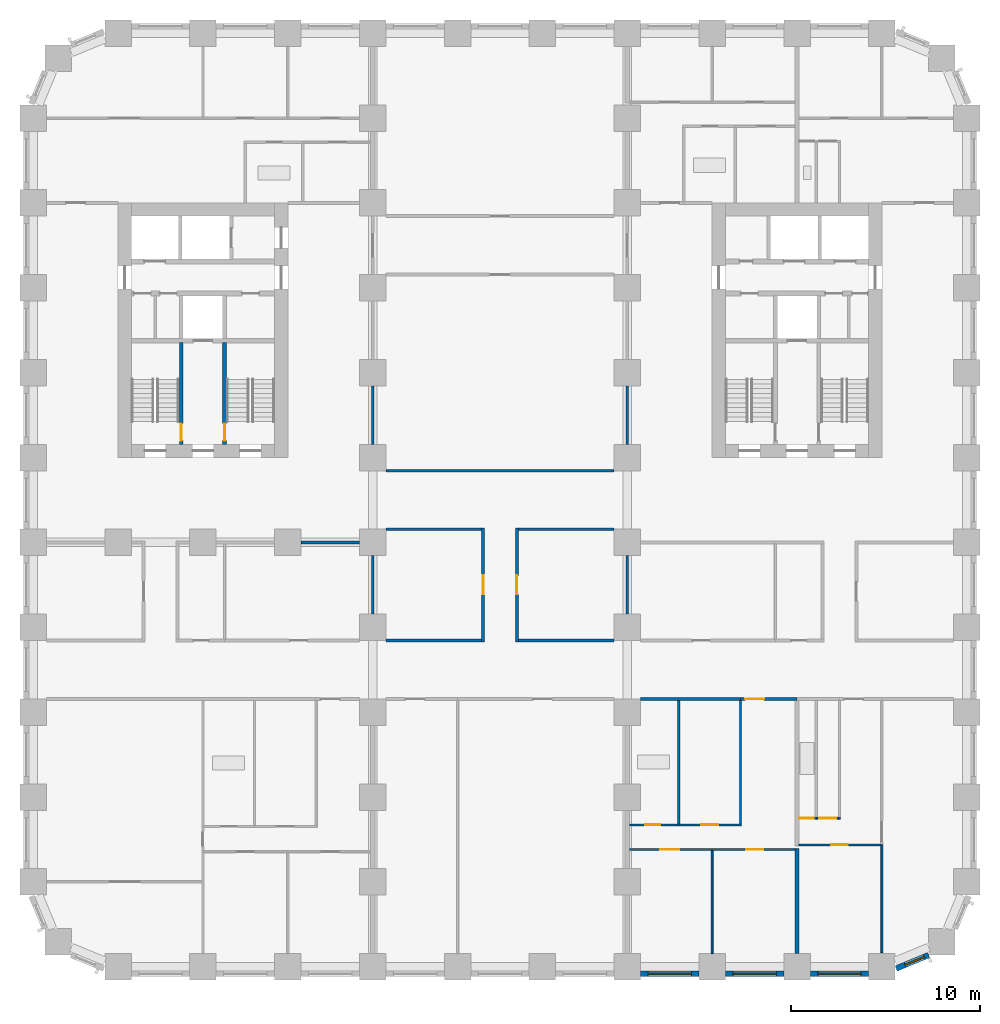
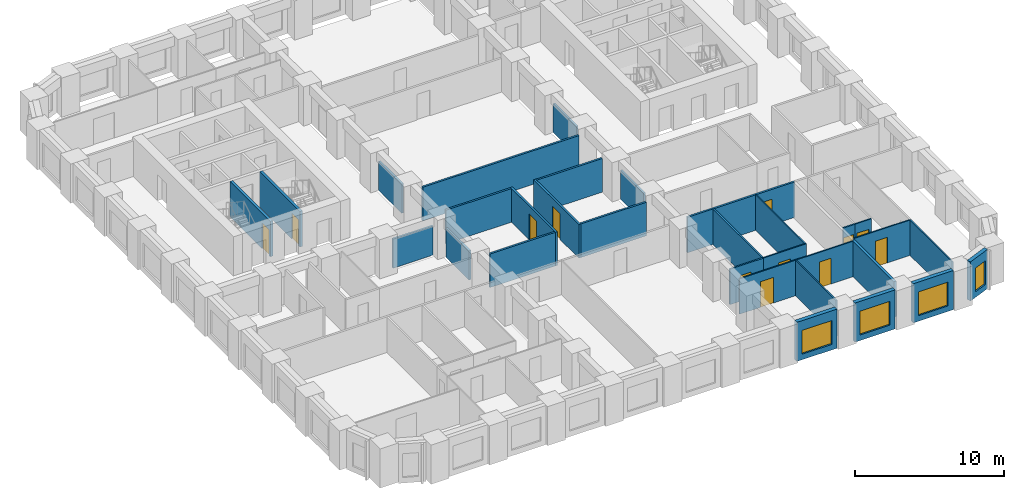
# One storey, part 4 of 12: 32 walls, 12 doors, 4 windows, 16 openings.
"""IFC4 building model written with IfcOpenShell, lengths in metres."""

from ifc_helpers import new_model, si_unit, direction, frame, frame_2d, origin, place, context, subcontext, project, spatial, rectangle, extrude, material, layer, layer_set, type_object, element, fill, save


model = new_model("IFC4")

# Units and contexts
model_context = context("Model", 3, precision=1e-05, world=origin(), true_north=direction((0.0, 1.0)))
body_context = subcontext(model_context, "Body", "Model", "MODEL_VIEW")
ifc_project = project(units=[si_unit("LENGTHUNIT", "METRE"), si_unit("AREAUNIT", "SQUARE_METRE"), si_unit("VOLUMEUNIT", "CUBIC_METRE"), si_unit("PLANEANGLEUNIT", "RADIAN"), si_unit("MASSUNIT", "GRAM", prefix="KILO")], contexts=[model_context])

# Site, building, storey
site_placement = place(None, origin())
site = spatial("IfcSite", under=ifc_project, at=site_placement, CompositionType="ELEMENT")
building_placement = place(site_placement, origin())
building = spatial("IfcBuilding", under=site, at=building_placement, Name="Girih Gate Residences", CompositionType="ELEMENT")
storey_placement = place(building_placement, frame((0.0, 0.0, 68.800048828125)))
storey = spatial("IfcBuildingStorey", under=building, at=storey_placement, Name="L18", CompositionType="ELEMENT", Elevation=68.800048828125)

# Wall
ifc_material_1 = material(Name="Gypsum board on steel studs", Category="steel")
ifc_layer_1 = layer(ifc_material_1, 0.14990234375)
ifc_layer_set_1 = layer_set([ifc_layer_1], Name="Compartment wall 150 mm")
wall_type_1 = type_object("IfcWallType", Name="Compartment wall 150 mm", PredefinedType="PARTITIONING", material=ifc_layer_set_1)
wall_1_placement = place(storey_placement, frame((32.199951171875, 14.199951171875, 0.0), z_axis=(0.0, 0.0, 1.0), x_axis=(1.0, 0.0, 0.0)))
element("IfcWall", 1, at=wall_1_placement, inside=storey, type_object=wall_type_1, Name="L18 partition", PredefinedType="PARTITIONING", context=body_context, shape_type="SweptSolid", body=[
    extrude(rectangle(XDim=5.300048828125, YDim=0.14990234375, at=frame_2d((2.64990234375, 0.0))), origin(), (0.0, 0.0, 1.0), 2.89990234375),
])

# Wall, opening, door
wall_2_placement = place(storey_placement, frame((40.5, 14.199951171875, 0.0), z_axis=(0.0, 0.0, 1.0), x_axis=(-1.0, 0.0, 0.0)))
wall_2 = element("IfcWall", 2, at=wall_2_placement, inside=storey, type_object=wall_type_1, Name="L18 partition", PredefinedType="PARTITIONING", context=body_context, shape_type="SweptSolid", body=[
    extrude(rectangle(XDim=3.0, YDim=0.14990234375, at=frame_2d((1.5, 0.0))), origin(), (0.0, 0.0, 1.0), 2.89990234375),
])
opening_1_placement = place(wall_2_placement, frame((1.75, 0.0, 0.0)))
opening_1 = element("IfcOpeningElement", 3, at=opening_1_placement, cuts=wall_2, Name="Opening A18-023", PredefinedType="OPENING", context=body_context, shape_type="SweptSolid", body=[
    extrude(rectangle(XDim=1.0, YDim=2.10009765625, at=frame_2d((0.5, 1.050048828125))), frame((0.0, 0.0849609375, 0.0), z_axis=(0.0, -1.0, 0.0), x_axis=(1.0, 0.0, 0.0)), (0.0, 0.0, 1.0), 0.169921875),
])
ifc_material_2 = material(Name="Timber, fire-rated core", Category="wood")
door_type_1 = type_object("IfcDoorType", Name="Flat entrance door 1000x2100 FD30S", OperationType="NOTDEFINED", PredefinedType="DOOR", material=ifc_material_2)
door_1_placement = place(opening_1_placement, origin())
door_1 = element("IfcDoor", 4, at=door_1_placement, inside=storey, type_object=door_type_1, Name="Door A18-023", OperationType="SINGLE_SWING_RIGHT", OverallHeight=2.10009765625, OverallWidth=1.0, PredefinedType="DOOR", context=body_context, shape_type="SweptSolid", body=[
    extrude(rectangle(XDim=1.0, YDim=2.10009765625, at=frame_2d((0.5, 1.050048828125))), frame((0.0, 0.02490234375, 0.0), z_axis=(0.0, -1.0, 0.0), x_axis=(1.0, 0.0, 0.0)), (0.0, 0.0, 1.0), 0.050048828125),
])
fill(opening_1, door_1)

wall_3_placement = place(storey_placement, frame((23.85009765625, 17.22509765625, 0.0), z_axis=(0.0, 0.0, 1.0), x_axis=(0.0, 1.0, 0.0)))
wall_3 = element("IfcWall", 5, at=wall_3_placement, inside=storey, type_object=wall_type_1, Name="L18 partition", PredefinedType="PARTITIONING", context=body_context, shape_type="SweptSolid", body=[
    extrude(rectangle(XDim=6.0498046875, YDim=0.14990234375, at=frame_2d((3.02490234375, 0.0))), origin(), (0.0, 0.0, 1.0), 2.75),
])
opening_2_placement = place(wall_3_placement, frame((2.52490234375, 0.0, 0.0)))
opening_2 = element("IfcOpeningElement", 6, at=opening_2_placement, cuts=wall_3, Name="Opening A18-040", PredefinedType="OPENING", context=body_context, shape_type="SweptSolid", body=[
    extrude(rectangle(XDim=1.0, YDim=2.10009765625, at=frame_2d((0.5, 1.050048828125))), frame((0.0, 0.0849609375, 0.0), z_axis=(0.0, -1.0, 0.0), x_axis=(1.0, 0.0, 0.0)), (0.0, 0.0, 1.0), 0.169921875),
])
door_type_2 = type_object("IfcDoorType", Name="Amenity room door 1000x2100 FD30S", OperationType="NOTDEFINED", PredefinedType="DOOR", material=ifc_material_2)
door_2_placement = place(opening_2_placement, origin())
door_2 = element("IfcDoor", 7, at=door_2_placement, inside=storey, type_object=door_type_2, Name="Door A18-040", OperationType="SINGLE_SWING_RIGHT", OverallHeight=2.10009765625, OverallWidth=1.0, PredefinedType="DOOR", context=body_context, shape_type="SweptSolid", body=[
    extrude(rectangle(XDim=1.0, YDim=2.10009765625, at=frame_2d((0.5, 1.050048828125))), frame((0.0, 0.02490234375, 0.0), z_axis=(0.0, -1.0, 0.0), x_axis=(1.0, 0.0, 0.0)), (0.0, 0.0, 1.0), 0.050048828125),
])
fill(opening_2, door_2)

wall_4_placement = place(storey_placement, frame((25.64990234375, 23.27490234375, 0.0), z_axis=(0.0, 0.0, 1.0), x_axis=(0.0, -1.0, 0.0)))
wall_4 = element("IfcWall", 8, at=wall_4_placement, inside=storey, type_object=wall_type_1, Name="L18 partition", PredefinedType="PARTITIONING", context=body_context, shape_type="SweptSolid", body=[
    extrude(rectangle(XDim=6.0498046875, YDim=0.14990234375, at=frame_2d((3.02490234375, 0.0))), origin(), (0.0, 0.0, 1.0), 2.75),
])
opening_3_placement = place(wall_4_placement, frame((2.52490234375, 0.0, 0.0)))
opening_3 = element("IfcOpeningElement", 9, at=opening_3_placement, cuts=wall_4, Name="Opening A18-041", PredefinedType="OPENING", context=body_context, shape_type="SweptSolid", body=[
    extrude(rectangle(XDim=1.0, YDim=2.10009765625, at=frame_2d((0.5, 1.050048828125))), frame((0.0, 0.0849609375, 0.0), z_axis=(0.0, -1.0, 0.0), x_axis=(1.0, 0.0, 0.0)), (0.0, 0.0, 1.0), 0.169921875),
])
door_3_placement = place(opening_3_placement, origin())
door_3 = element("IfcDoor", 10, at=door_3_placement, inside=storey, type_object=door_type_2, Name="Door A18-041", OperationType="SINGLE_SWING_RIGHT", OverallHeight=2.10009765625, OverallWidth=1.0, PredefinedType="DOOR", context=body_context, shape_type="SweptSolid", body=[
    extrude(rectangle(XDim=1.0, YDim=2.10009765625, at=frame_2d((0.5, 1.050048828125))), frame((0.0, 0.02490234375, 0.0), z_axis=(0.0, -1.0, 0.0), x_axis=(1.0, 0.0, 0.0)), (0.0, 0.0, 1.0), 0.050048828125),
])
fill(opening_3, door_3)

# Walls
for number, where, z_axis, x_axis, name in (
    (11, (18.699951171875, 17.300048828125, 0.0), (0.0, 0.0, 1.0), (1.0, 0.0, 0.0), "L18 partition"),
    (12, (25.72509765625, 17.300048828125, 0.0), (0.0, 0.0, 1.0), (1.0, 0.0, 0.0), "L18 partition"),
):
    element("IfcWall", number, at=place(storey_placement, frame(where, z_axis=z_axis, x_axis=x_axis)), inside=storey, type_object=wall_type_1, Name=name, PredefinedType="PARTITIONING", context=body_context, shape_type="SweptSolid", body=[
        extrude(rectangle(XDim=5.074951171875, YDim=0.14990234375, at=frame_2d((2.53759765625, 0.0))), origin(), (0.0, 0.0, 1.0), 2.75),
    ])
for number, where, z_axis, x_axis, name in (
    (13, (31.5, 27.699951171875, 0.0), (0.0, 0.0, 1.0), (0.0, 1.0, 0.0), "L18 partition"),
    (14, (18.0, 27.699951171875, 0.0), (0.0, 0.0, 1.0), (0.0, 1.0, 0.0), "L18 partition"),
):
    element("IfcWall", number, at=place(storey_placement, frame(where, z_axis=z_axis, x_axis=x_axis)), inside=storey, type_object=wall_type_1, Name=name, PredefinedType="PARTITIONING", context=body_context, shape_type="SweptSolid", body=[
        extrude(rectangle(XDim=3.10009765625, YDim=0.14990234375, at=frame_2d((1.550048828125, 0.0))), origin(), (0.0, 0.0, 1.0), 2.3798828125),
    ])
wall_5_placement = place(storey_placement, frame((18.699951171875, 26.300048828125, 0.0), z_axis=(0.0, 0.0, 1.0), x_axis=(1.0, 0.0, 0.0)))
element("IfcWall", 15, at=wall_5_placement, inside=storey, type_object=wall_type_1, Name="L18 partition", PredefinedType="PARTITIONING", context=body_context, shape_type="SweptSolid", body=[
    extrude(rectangle(XDim=12.10009765625, YDim=0.14990234375, at=frame_2d((6.050048828125, 0.0))), origin(), (0.0, 0.0, 1.0), 2.75),
])
wall_6_placement = place(storey_placement, frame((18.699951171875, 23.199951171875, 0.0), z_axis=(0.0, 0.0, 1.0), x_axis=(1.0, 0.0, 0.0)))
element("IfcWall", 16, at=wall_6_placement, inside=storey, type_object=wall_type_1, Name="L18 partition", PredefinedType="PARTITIONING", context=body_context, shape_type="SweptSolid", body=[
    extrude(rectangle(XDim=5.074951171875, YDim=0.14990234375, at=frame_2d((2.53759765625, 0.0))), origin(), (0.0, 0.0, 1.0), 2.75),
])
wall_7_placement = place(storey_placement, frame((18.0, 18.699951171875, 0.0), z_axis=(0.0, 0.0, 1.0), x_axis=(0.0, 1.0, 0.0)))
element("IfcWall", 17, at=wall_7_placement, inside=storey, type_object=wall_type_1, Name="L18 partition", PredefinedType="PARTITIONING", context=body_context, shape_type="SweptSolid", body=[
    extrude(rectangle(XDim=3.10009765625, YDim=0.14990234375, at=frame_2d((1.550048828125, 0.0))), origin(), (0.0, 0.0, 1.0), 2.3798828125),
])
wall_8_placement = place(storey_placement, frame((25.72509765625, 23.199951171875, 0.0), z_axis=(0.0, 0.0, 1.0), x_axis=(1.0, 0.0, 0.0)))
element("IfcWall", 18, at=wall_8_placement, inside=storey, type_object=wall_type_1, Name="L18 partition", PredefinedType="PARTITIONING", context=body_context, shape_type="SweptSolid", body=[
    extrude(rectangle(XDim=5.074951171875, YDim=0.14990234375, at=frame_2d((2.53759765625, 0.0))), origin(), (0.0, 0.0, 1.0), 2.75),
])
for number, where, z_axis, x_axis, name in (
    (19, (31.5, 18.699951171875, 0.0), (0.0, 0.0, 1.0), (0.0, 1.0, 0.0), "L18 partition"),
    (20, (14.199951171875, 22.5, 0.0), (0.0, 0.0, 1.0), (1.0, 0.0, 0.0), "L18 partition"),
):
    element("IfcWall", number, at=place(storey_placement, frame(where, z_axis=z_axis, x_axis=x_axis)), inside=storey, type_object=wall_type_1, Name=name, PredefinedType="PARTITIONING", context=body_context, shape_type="SweptSolid", body=[
        extrude(rectangle(XDim=3.10009765625, YDim=0.14990234375, at=frame_2d((1.550048828125, 0.0))), origin(), (0.0, 0.0, 1.0), 2.3798828125),
    ])

# Wall, opening, door
ifc_layer_2 = layer(ifc_material_1, 0.10009765625)
ifc_layer_set_2 = layer_set([ifc_layer_2], Name="Partition 100 mm")
wall_type_2 = type_object("IfcWallType", Name="Partition 100 mm", PredefinedType="PARTITIONING", material=ifc_layer_set_2)
wall_9_placement = place(storey_placement, frame((44.949951171875, 6.4599609375, 0.0), z_axis=(0.0, 0.0, 1.0), x_axis=(-1.0, 0.0, 0.0)))
wall_9 = element("IfcWall", 21, at=wall_9_placement, inside=storey, type_object=wall_type_2, Name="L18 partition", PredefinedType="PARTITIONING", context=body_context, shape_type="SweptSolid", body=[
    extrude(rectangle(XDim=4.349853515625, YDim=0.10009765625, at=frame_2d((2.1748046875, 0.0))), origin(), (0.0, 0.0, 1.0), 2.89990234375),
])
opening_4_placement = place(wall_9_placement, frame((1.75, 0.0, 0.0)))
opening_4 = element("IfcOpeningElement", 22, at=opening_4_placement, cuts=wall_9, Name="Opening A18-015", PredefinedType="OPENING", context=body_context, shape_type="SweptSolid", body=[
    extrude(rectangle(XDim=0.89990234375, YDim=2.10009765625, at=frame_2d((0.449951171875, 1.050048828125))), frame((0.0, 0.06005859375, 0.0), z_axis=(0.0, -1.0, 0.0), x_axis=(1.0, 0.0, 0.0)), (0.0, 0.0, 1.0), 0.1201171875),
])
ifc_material_3 = material(Name="Timber", Category="wood")
door_type_3 = type_object("IfcDoorType", Name="Bedroom door 900x2100", OperationType="NOTDEFINED", PredefinedType="DOOR", material=ifc_material_3)
door_4_placement = place(opening_4_placement, origin())
door_4 = element("IfcDoor", 23, at=door_4_placement, inside=storey, type_object=door_type_3, Name="Door A18-015", OperationType="SINGLE_SWING_RIGHT", OverallHeight=2.10009765625, OverallWidth=0.89990234375, PredefinedType="DOOR", context=body_context, shape_type="SweptSolid", body=[
    extrude(rectangle(XDim=0.89990234375, YDim=2.10009765625, at=frame_2d((0.449951171875, 1.050048828125))), frame((0.0, 0.02490234375, 0.0), z_axis=(0.0, -1.0, 0.0), x_axis=(1.0, 0.0, 0.0)), (0.0, 0.0, 1.0), 0.050048828125),
])
fill(opening_4, door_4)

# Wall
wall_10_placement = place(storey_placement, frame((45.0, 0.757568359375, 0.0), z_axis=(0.0, 0.0, 1.0), x_axis=(0.0, 1.0, 0.0)))
element("IfcWall", 24, at=wall_10_placement, inside=storey, type_object=wall_type_2, Name="L18 partition", PredefinedType="PARTITIONING", context=body_context, shape_type="SweptSolid", body=[
    extrude(rectangle(XDim=5.702392578125, YDim=0.10009765625, at=frame_2d((2.85107421875, 0.0))), origin(), (0.0, 0.0, 1.0), 2.89990234375),
])

# Wall, opening, door
wall_11_placement = place(storey_placement, frame((41.522705078125, 7.8798828125, 0.0), z_axis=(0.0, 0.0, 1.0), x_axis=(1.0, 0.0, 0.0)))
wall_11 = element("IfcWall", 25, at=wall_11_placement, inside=storey, type_object=wall_type_2, Name="L18 partition", PredefinedType="PARTITIONING", context=body_context, shape_type="SweptSolid", body=[
    extrude(rectangle(XDim=1.27734375, YDim=0.10009765625, at=frame_2d((0.638671875, 0.0))), origin(), (0.0, 0.0, 1.0), 2.89990234375),
])
opening_5_placement = place(wall_11_placement, frame((0.16357421875, 0.0, 0.0)))
opening_5 = element("IfcOpeningElement", 26, at=opening_5_placement, cuts=wall_11, Name="Opening A18-016", PredefinedType="OPENING", context=body_context, shape_type="SweptSolid", body=[
    extrude(rectangle(XDim=0.89990234375, YDim=2.10009765625, at=frame_2d((0.449951171875, 1.050048828125))), frame((0.0, 0.06005859375, 0.0), z_axis=(0.0, -1.0, 0.0), x_axis=(1.0, 0.0, 0.0)), (0.0, 0.0, 1.0), 0.1201171875),
])
door_type_4 = type_object("IfcDoorType", Name="Kitchen door 900x2100", OperationType="NOTDEFINED", PredefinedType="DOOR", material=ifc_material_3)
door_5_placement = place(opening_5_placement, origin())
door_5 = element("IfcDoor", 27, at=door_5_placement, inside=storey, type_object=door_type_4, Name="Door A18-016", OperationType="SINGLE_SWING_LEFT", OverallHeight=2.10009765625, OverallWidth=0.89990234375, PredefinedType="DOOR", context=body_context, shape_type="SweptSolid", body=[
    extrude(rectangle(XDim=0.89990234375, YDim=2.10009765625, at=frame_2d((0.449951171875, 1.050048828125))), frame((0.0, 0.02490234375, 0.0), z_axis=(0.0, -1.0, 0.0), x_axis=(1.0, 0.0, 0.0)), (0.0, 0.0, 1.0), 0.050048828125),
])
fill(opening_5, door_5)

wall_12_placement = place(storey_placement, frame((40.39990234375, 6.219970703125, 0.0), z_axis=(0.0, 0.0, 1.0), x_axis=(-1.0, 0.0, 0.0)))
wall_12 = element("IfcWall", 28, at=wall_12_placement, inside=storey, type_object=wall_type_2, Name="L18 partition", PredefinedType="PARTITIONING", context=body_context, shape_type="SweptSolid", body=[
    extrude(rectangle(XDim=4.39990234375, YDim=0.10009765625, at=frame_2d((2.199951171875, 0.0))), origin(), (0.0, 0.0, 1.0), 2.89990234375),
])
opening_6_placement = place(wall_12_placement, frame((1.699951171875, 0.0, 0.0)))
opening_6 = element("IfcOpeningElement", 29, at=opening_6_placement, cuts=wall_12, Name="Opening A18-020", PredefinedType="OPENING", context=body_context, shape_type="SweptSolid", body=[
    extrude(rectangle(XDim=0.89990234375, YDim=2.10009765625, at=frame_2d((0.449951171875, 1.050048828125))), frame((0.0, 0.06005859375, 0.0), z_axis=(0.0, -1.0, 0.0), x_axis=(1.0, 0.0, 0.0)), (0.0, 0.0, 1.0), 0.1201171875),
])
door_6_placement = place(opening_6_placement, origin())
door_6 = element("IfcDoor", 30, at=door_6_placement, inside=storey, type_object=door_type_3, Name="Door A18-020", OperationType="SINGLE_SWING_LEFT", OverallHeight=2.10009765625, OverallWidth=0.89990234375, PredefinedType="DOOR", context=body_context, shape_type="SweptSolid", body=[
    extrude(rectangle(XDim=0.89990234375, YDim=2.10009765625, at=frame_2d((0.449951171875, 1.050048828125))), frame((0.0, 0.02490234375, 0.0), z_axis=(0.0, -1.0, 0.0), x_axis=(1.0, 0.0, 0.0)), (0.0, 0.0, 1.0), 0.050048828125),
])
fill(opening_6, door_6)

# Wall
wall_13_placement = place(storey_placement, frame((36.0, 0.699951171875, 0.0), z_axis=(0.0, 0.0, 1.0), x_axis=(0.0, 1.0, 0.0)))
element("IfcWall", 31, at=wall_13_placement, inside=storey, type_object=wall_type_2, Name="L18 partition", PredefinedType="PARTITIONING", context=body_context, shape_type="SweptSolid", body=[
    extrude(rectangle(XDim=5.469970703125, YDim=0.10009765625, at=frame_2d((2.73486328125, 0.0))), origin(), (0.0, 0.0, 1.0), 2.89990234375),
])

# Wall, opening, door
wall_14_placement = place(storey_placement, frame((34.21923828125, 7.52001953125, 0.0), z_axis=(0.0, 0.0, 1.0), x_axis=(1.0, 0.0, 0.0)))
wall_14 = element("IfcWall", 32, at=wall_14_placement, inside=storey, type_object=wall_type_2, Name="L18 partition", PredefinedType="PARTITIONING", context=body_context, shape_type="SweptSolid", body=[
    extrude(rectangle(XDim=3.330810546875, YDim=0.10009765625, at=frame_2d((1.66552734375, 0.0))), origin(), (0.0, 0.0, 1.0), 2.89990234375),
])
opening_7_placement = place(wall_14_placement, frame((1.190185546875, 0.0, 0.0)))
opening_7 = element("IfcOpeningElement", 33, at=opening_7_placement, cuts=wall_14, Name="Opening A18-021", PredefinedType="OPENING", context=body_context, shape_type="SweptSolid", body=[
    extrude(rectangle(XDim=0.89990234375, YDim=2.10009765625, at=frame_2d((0.449951171875, 1.050048828125))), frame((0.0, 0.06005859375, 0.0), z_axis=(0.0, -1.0, 0.0), x_axis=(1.0, 0.0, 0.0)), (0.0, 0.0, 1.0), 0.1201171875),
])
door_7_placement = place(opening_7_placement, origin())
door_7 = element("IfcDoor", 34, at=door_7_placement, inside=storey, type_object=door_type_4, Name="Door A18-021", OperationType="SINGLE_SWING_LEFT", OverallHeight=2.10009765625, OverallWidth=0.89990234375, PredefinedType="DOOR", context=body_context, shape_type="SweptSolid", body=[
    extrude(rectangle(XDim=0.89990234375, YDim=2.10009765625, at=frame_2d((0.449951171875, 1.050048828125))), frame((0.0, 0.02490234375, 0.0), z_axis=(0.0, -1.0, 0.0), x_axis=(1.0, 0.0, 0.0)), (0.0, 0.0, 1.0), 0.050048828125),
])
fill(opening_7, door_7)

# Wall
wall_15_placement = place(storey_placement, frame((37.5, 7.570068359375, 0.0), z_axis=(0.0, 0.0, 1.0), x_axis=(0.0, 1.0, 0.0)))
element("IfcWall", 35, at=wall_15_placement, inside=storey, type_object=wall_type_2, Name="L18 partition", PredefinedType="PARTITIONING", context=body_context, shape_type="SweptSolid", body=[
    extrude(rectangle(XDim=6.554931640625, YDim=0.10009765625, at=frame_2d((3.27734375, 0.0))), origin(), (0.0, 0.0, 1.0), 2.89990234375),
])

# Wall, opening, door
wall_16_placement = place(storey_placement, frame((36.0, 6.219970703125, 0.0), z_axis=(0.0, 0.0, 1.0), x_axis=(-1.0, 0.0, 0.0)))
wall_16 = element("IfcWall", 36, at=wall_16_placement, inside=storey, type_object=wall_type_2, Name="L18 partition", PredefinedType="PARTITIONING", context=body_context, shape_type="SweptSolid", body=[
    extrude(rectangle(XDim=4.375, YDim=0.10009765625, at=frame_2d((2.1875, 0.0))), origin(), (0.0, 0.0, 1.0), 2.89990234375),
])
opening_8_placement = place(wall_16_placement, frame((1.75, 0.0, 0.0)))
opening_8 = element("IfcOpeningElement", 37, at=opening_8_placement, cuts=wall_16, Name="Opening A18-022", PredefinedType="OPENING", context=body_context, shape_type="SweptSolid", body=[
    extrude(rectangle(XDim=1.0, YDim=2.10009765625, at=frame_2d((0.5, 1.050048828125))), frame((0.0, 0.06005859375, 0.0), z_axis=(0.0, -1.0, 0.0), x_axis=(1.0, 0.0, 0.0)), (0.0, 0.0, 1.0), 0.1201171875),
])
door_type_5 = type_object("IfcDoorType", Name="Living room door 1000x2100", OperationType="NOTDEFINED", PredefinedType="DOOR", material=ifc_material_3)
door_8_placement = place(opening_8_placement, origin())
door_8 = element("IfcDoor", 38, at=door_8_placement, inside=storey, type_object=door_type_5, Name="Door A18-022", OperationType="SINGLE_SWING_RIGHT", OverallHeight=2.10009765625, OverallWidth=1.0, PredefinedType="DOOR", context=body_context, shape_type="SweptSolid", body=[
    extrude(rectangle(XDim=1.0, YDim=2.10009765625, at=frame_2d((0.5, 1.050048828125))), frame((0.0, 0.02490234375, 0.0), z_axis=(0.0, -1.0, 0.0), x_axis=(1.0, 0.0, 0.0)), (0.0, 0.0, 1.0), 0.050048828125),
])
fill(opening_8, door_8)

# Wall
ifc_layer_3 = layer(ifc_material_1, 0.199951171875)
ifc_layer_set_3 = layer_set([ifc_layer_3], Name="Party wall 200 mm")
wall_type_3 = type_object("IfcWallType", Name="Party wall 200 mm", PredefinedType="PARTITIONING", material=ifc_layer_set_3)
wall_17_placement = place(storey_placement, frame((40.5, 0.699951171875, 0.0), z_axis=(0.0, 0.0, 1.0), x_axis=(0.0, 1.0, 0.0)))
element("IfcWall", 39, at=wall_17_placement, inside=storey, type_object=wall_type_3, Name="L18 partition", PredefinedType="PARTITIONING", context=body_context, shape_type="SweptSolid", body=[
    extrude(rectangle(XDim=5.570068359375, YDim=0.199951171875, at=frame_2d((2.78515625, 0.0))), origin(), (0.0, 0.0, 1.0), 2.89990234375),
])

# Wall, opening, window
ifc_material_4 = material(Name="Precast concrete C50/60", Category="concrete")
ifc_layer_4 = layer(ifc_material_4, 0.080078125, Name="Outer leaf")
ifc_material_5 = material(Name="Rigid PIR insulation")
ifc_layer_5 = layer(ifc_material_5, 0.14990234375, Name="Insulation")
ifc_material_6 = material(Name="Precast concrete C40/50", Category="concrete")
ifc_layer_6 = layer(ifc_material_6, 0.070068359375, Name="Inner leaf")
ifc_layer_set_4 = layer_set([ifc_layer_4, ifc_layer_5, ifc_layer_6], Name="Precast concrete C50/60 external wall 300")
wall_type_4 = type_object("IfcWallType", Name="Precast concrete C50/60 external wall 300", PredefinedType="SOLIDWALL", material=ifc_layer_set_4)
wall_18_placement = place(storey_placement, frame((35.300048828125, -0.375, 0.0), z_axis=(0.0, 0.0, 1.0), x_axis=(-1.0, 0.0, 0.0)))
wall_18 = element("IfcWall", 40, at=wall_18_placement, inside=storey, type_object=wall_type_4, Name="External wall S0045_0000.6", PredefinedType="SOLIDWALL", context=body_context, shape_type="SweptSolid", body=[
    extrude(rectangle(XDim=3.10009765625, YDim=0.300048828125, at=frame_2d((1.550048828125, 0.0))), origin(), (0.0, 0.0, 1.0), 3.199951171875),
])
opening_9_placement = place(wall_18_placement, frame((0.39990234375, 0.0, 0.449951171875)))
opening_9 = element("IfcOpeningElement", 41, at=opening_9_placement, cuts=wall_18, Name="Opening W-1", PredefinedType="OPENING", context=body_context, shape_type="SweptSolid", body=[
    extrude(rectangle(XDim=2.300048828125, YDim=1.949951171875, at=frame_2d((1.14990234375, 0.97509765625))), frame((0.0, 0.159912109375, 0.0), z_axis=(0.0, -1.0, 0.0), x_axis=(1.0, 0.0, 0.0)), (0.0, 0.0, 1.0), 0.320068359375),
])
ifc_material_7 = material(Name="Double glazing in aluminium frame", Category="aluminium")
window_type_1 = type_object("IfcWindowType", Name="Window W-1 2300x1950", PartitioningType="SINGLE_PANEL", PredefinedType="WINDOW", material=ifc_material_7)
window_1_placement = place(opening_9_placement, origin())
window_1 = element("IfcWindow", 42, at=window_1_placement, inside=storey, type_object=window_type_1, Name="Window W-1 S0045_0000.6", OverallHeight=1.949951171875, OverallWidth=2.300048828125, PartitioningType="SINGLE_PANEL", PredefinedType="WINDOW", context=body_context, shape_type="SweptSolid", body=[
    extrude(rectangle(XDim=2.300048828125, YDim=1.949951171875, at=frame_2d((1.14990234375, 0.97509765625))), frame((0.0, 0.030029296875, 0.0), z_axis=(0.0, -1.0, 0.0), x_axis=(1.0, 0.0, 0.0)), (0.0, 0.0, 1.0), 0.06005859375),
])
fill(opening_9, window_1)

wall_19_placement = place(storey_placement, frame((39.800048828125, -0.375, 0.0), z_axis=(0.0, 0.0, 1.0), x_axis=(-1.0, 0.0, 0.0)))
wall_19 = element("IfcWall", 43, at=wall_19_placement, inside=storey, type_object=wall_type_4, Name="External wall S0045_0000.7", PredefinedType="SOLIDWALL", context=body_context, shape_type="SweptSolid", body=[
    extrude(rectangle(XDim=3.10009765625, YDim=0.300048828125, at=frame_2d((1.550048828125, 0.0))), origin(), (0.0, 0.0, 1.0), 3.199951171875),
])
opening_10_placement = place(wall_19_placement, frame((0.39990234375, 0.0, 0.449951171875)))
opening_10 = element("IfcOpeningElement", 44, at=opening_10_placement, cuts=wall_19, Name="Opening W-1", PredefinedType="OPENING", context=body_context, shape_type="SweptSolid", body=[
    extrude(rectangle(XDim=2.300048828125, YDim=1.949951171875, at=frame_2d((1.14990234375, 0.97509765625))), frame((0.0, 0.159912109375, 0.0), z_axis=(0.0, -1.0, 0.0), x_axis=(1.0, 0.0, 0.0)), (0.0, 0.0, 1.0), 0.320068359375),
])
window_2_placement = place(opening_10_placement, origin())
window_2 = element("IfcWindow", 45, at=window_2_placement, inside=storey, type_object=window_type_1, Name="Window W-1 S0045_0000.7", OverallHeight=1.949951171875, OverallWidth=2.300048828125, PartitioningType="SINGLE_PANEL", PredefinedType="WINDOW", context=body_context, shape_type="SweptSolid", body=[
    extrude(rectangle(XDim=2.300048828125, YDim=1.949951171875, at=frame_2d((1.14990234375, 0.97509765625))), frame((0.0, 0.030029296875, 0.0), z_axis=(0.0, -1.0, 0.0), x_axis=(1.0, 0.0, 0.0)), (0.0, 0.0, 1.0), 0.06005859375),
])
fill(opening_10, window_2)

wall_20_placement = place(storey_placement, frame((44.300048828125, -0.375, 0.0), z_axis=(0.0, 0.0, 1.0), x_axis=(-1.0, 0.0, 0.0)))
wall_20 = element("IfcWall", 46, at=wall_20_placement, inside=storey, type_object=wall_type_4, Name="External wall S0045_0000.8", PredefinedType="SOLIDWALL", context=body_context, shape_type="SweptSolid", body=[
    extrude(rectangle(XDim=3.10009765625, YDim=0.300048828125, at=frame_2d((1.550048828125, 0.0))), origin(), (0.0, 0.0, 1.0), 3.199951171875),
])
opening_11_placement = place(wall_20_placement, frame((0.39990234375, 0.0, 0.449951171875)))
opening_11 = element("IfcOpeningElement", 47, at=opening_11_placement, cuts=wall_20, Name="Opening W-1", PredefinedType="OPENING", context=body_context, shape_type="SweptSolid", body=[
    extrude(rectangle(XDim=2.300048828125, YDim=1.949951171875, at=frame_2d((1.14990234375, 0.97509765625))), frame((0.0, 0.159912109375, 0.0), z_axis=(0.0, -1.0, 0.0), x_axis=(1.0, 0.0, 0.0)), (0.0, 0.0, 1.0), 0.320068359375),
])
window_3_placement = place(opening_11_placement, origin())
window_3 = element("IfcWindow", 48, at=window_3_placement, inside=storey, type_object=window_type_1, Name="Window W-1 S0045_0000.8", OverallHeight=1.949951171875, OverallWidth=2.300048828125, PartitioningType="SINGLE_PANEL", PredefinedType="WINDOW", context=body_context, shape_type="SweptSolid", body=[
    extrude(rectangle(XDim=2.300048828125, YDim=1.949951171875, at=frame_2d((1.14990234375, 0.97509765625))), frame((0.0, 0.030029296875, 0.0), z_axis=(0.0, -1.0, 0.0), x_axis=(1.0, 0.0, 0.0)), (0.0, 0.0, 1.0), 0.06005859375),
])
fill(opening_11, window_3)

wall_21_placement = place(storey_placement, frame((47.48046875, 0.62158203125, 0.0), z_axis=(0.0, 0.0, 1.0), x_axis=(-0.923903565336, -0.38262540684, 0.0)))
wall_21 = element("IfcWall", 49, at=wall_21_placement, inside=storey, type_object=wall_type_4, Name="External wall SE0450_0000.0", PredefinedType="SOLIDWALL", context=body_context, shape_type="SweptSolid", body=[
    extrude(rectangle(XDim=1.864990234375, YDim=0.300048828125, at=frame_2d((0.9326171875, 0.0))), origin(), (0.0, 0.0, 1.0), 3.199951171875),
])
opening_12_placement = place(wall_21_placement, frame((0.257568359375, 0.0, 0.449951171875)))
opening_12 = element("IfcOpeningElement", 50, at=opening_12_placement, cuts=wall_21, Name="Opening W-2C", PredefinedType="OPENING", context=body_context, shape_type="SweptSolid", body=[
    extrude(rectangle(XDim=1.10009765625, YDim=1.949951171875, at=frame_2d((0.550048828125, 0.97509765625))), frame((0.0, 0.159912109375, 0.0), z_axis=(0.0, -1.0, 0.0), x_axis=(1.0, 0.0, 0.0)), (0.0, 0.0, 1.0), 0.320068359375),
])
window_type_2 = type_object("IfcWindowType", Name="Window W-2C 1100x1950", PartitioningType="SINGLE_PANEL", PredefinedType="WINDOW", material=ifc_material_7)
window_4_placement = place(opening_12_placement, origin())
window_4 = element("IfcWindow", 51, at=window_4_placement, inside=storey, type_object=window_type_2, Name="Window W-2C SE0450_0000.0", OverallHeight=1.949951171875, OverallWidth=1.10009765625, PartitioningType="SINGLE_PANEL", PredefinedType="WINDOW", context=body_context, shape_type="SweptSolid", body=[
    extrude(rectangle(XDim=1.10009765625, YDim=1.949951171875, at=frame_2d((0.550048828125, 0.97509765625))), frame((0.0, 0.030029296875, 0.0), z_axis=(0.0, -1.0, 0.0), x_axis=(1.0, 0.0, 0.0)), (0.0, 0.0, 1.0), 0.06005859375),
])
fill(opening_12, window_4)

# Wall, opening, door
ifc_material_8 = material(Name="Concrete C40/50", Category="concrete")
ifc_layer_7 = layer(ifc_material_8, 0.199951171875)
ifc_layer_set_5 = layer_set([ifc_layer_7], Name="Shaft wall 200")
wall_type_5 = type_object("IfcWallType", Name="Shaft wall 200", PredefinedType="SOLIDWALL", material=ifc_layer_set_5)
wall_22_placement = place(storey_placement, frame((7.85009765625, 27.699951171875, 0.0), z_axis=(0.0, 0.0, 1.0), x_axis=(0.0, 1.0, 0.0)))
wall_22 = element("IfcWall", 52, at=wall_22_placement, inside=storey, type_object=wall_type_5, Name="L18 W core wall V1a", PredefinedType="SOLIDWALL", context=body_context, shape_type="SweptSolid", body=[
    extrude(rectangle(XDim=5.400146484375, YDim=0.199951171875, at=frame_2d((2.7001953125, 0.0))), origin(), (0.0, 0.0, 1.0), 2.89990234375),
])
opening_13_placement = place(wall_22_placement, frame((0.199951171875, 0.0, 0.0)))
opening_13 = element("IfcOpeningElement", 53, at=opening_13_placement, cuts=wall_22, Name="Opening D-L18-W-001", PredefinedType="OPENING", context=body_context, shape_type="SweptSolid", body=[
    extrude(rectangle(XDim=0.89990234375, YDim=2.10009765625, at=frame_2d((0.449951171875, 1.050048828125))), frame((0.0, 0.10986328125, 0.0), z_axis=(0.0, -1.0, 0.0), x_axis=(1.0, 0.0, 0.0)), (0.0, 0.0, 1.0), 0.219970703125),
])
ifc_material_9 = material(Name="Painted steel, fire-resisting", Category="steel")
door_type_6 = type_object("IfcDoorType", Name="Fire door 900x2100", OperationType="SINGLE_SWING_LEFT", PredefinedType="DOOR", material=ifc_material_9)
door_9_placement = place(opening_13_placement, origin())
door_9 = element("IfcDoor", 54, at=door_9_placement, inside=storey, type_object=door_type_6, Name="L18 W door stair 1 to firefighting lobby", OperationType="SINGLE_SWING_LEFT", OverallHeight=2.10009765625, OverallWidth=0.89990234375, PredefinedType="DOOR", context=body_context, shape_type="SweptSolid", body=[
    extrude(rectangle(XDim=0.89990234375, YDim=2.10009765625, at=frame_2d((0.449951171875, 1.050048828125))), frame((0.0, 0.02490234375, 0.0), z_axis=(0.0, -1.0, 0.0), x_axis=(1.0, 0.0, 0.0)), (0.0, 0.0, 1.0), 0.050048828125),
])
fill(opening_13, door_9)

wall_23_placement = place(storey_placement, frame((10.14990234375, 27.699951171875, 0.0), z_axis=(0.0, 0.0, 1.0), x_axis=(0.0, 1.0, 0.0)))
wall_23 = element("IfcWall", 55, at=wall_23_placement, inside=storey, type_object=wall_type_5, Name="L18 W core wall V2a", PredefinedType="SOLIDWALL", context=body_context, shape_type="SweptSolid", body=[
    extrude(rectangle(XDim=5.400146484375, YDim=0.199951171875, at=frame_2d((2.7001953125, 0.0))), origin(), (0.0, 0.0, 1.0), 2.89990234375),
])
opening_14_placement = place(wall_23_placement, frame((0.199951171875, 0.0, 0.0)))
opening_14 = element("IfcOpeningElement", 56, at=opening_14_placement, cuts=wall_23, Name="Opening D-L18-W-002", PredefinedType="OPENING", context=body_context, shape_type="SweptSolid", body=[
    extrude(rectangle(XDim=0.89990234375, YDim=2.10009765625, at=frame_2d((0.449951171875, 1.050048828125))), frame((0.0, 0.10986328125, 0.0), z_axis=(0.0, -1.0, 0.0), x_axis=(1.0, 0.0, 0.0)), (0.0, 0.0, 1.0), 0.219970703125),
])
door_10_placement = place(opening_14_placement, origin())
door_10 = element("IfcDoor", 57, at=door_10_placement, inside=storey, type_object=door_type_6, Name="L18 W door stair 2 to firefighting lobby", OperationType="SINGLE_SWING_LEFT", OverallHeight=2.10009765625, OverallWidth=0.89990234375, PredefinedType="DOOR", context=body_context, shape_type="SweptSolid", body=[
    extrude(rectangle(XDim=0.89990234375, YDim=2.10009765625, at=frame_2d((0.449951171875, 1.050048828125))), frame((0.0, 0.02490234375, 0.0), z_axis=(0.0, -1.0, 0.0), x_axis=(1.0, 0.0, 0.0)), (0.0, 0.0, 1.0), 0.050048828125),
])
fill(opening_14, door_10)

ifc_layer_8 = layer(ifc_material_1, 0.125)
ifc_layer_set_6 = layer_set([ifc_layer_8], Name="Wet room wall 125 mm")
wall_type_6 = type_object("IfcWallType", Name="Wet room wall 125 mm", PredefinedType="PARTITIONING", material=ifc_layer_set_6)
wall_24_placement = place(storey_placement, frame((40.60009765625, 7.8798828125, 0.0), z_axis=(0.0, 0.0, 1.0), x_axis=(1.0, 0.0, 0.0)))
wall_24 = element("IfcWall", 58, at=wall_24_placement, inside=storey, type_object=wall_type_6, Name="L18 partition", PredefinedType="PARTITIONING", context=body_context, shape_type="SweptSolid", body=[
    extrude(rectangle(XDim=0.922607421875, YDim=0.125, at=frame_2d((0.46142578125, 0.0))), origin(), (0.0, 0.0, 1.0), 2.89990234375),
])
opening_15_placement = place(wall_24_placement, frame((0.011474609375, 0.0, 0.0)))
opening_15 = element("IfcOpeningElement", 59, at=opening_15_placement, cuts=wall_24, Name="Opening A18-014", PredefinedType="OPENING", context=body_context, shape_type="SweptSolid", body=[
    extrude(rectangle(XDim=0.800048828125, YDim=2.10009765625, at=frame_2d((0.39990234375, 1.050048828125))), frame((0.0, 0.072509765625, 0.0), z_axis=(0.0, -1.0, 0.0), x_axis=(1.0, 0.0, 0.0)), (0.0, 0.0, 1.0), 0.14501953125),
])
door_type_7 = type_object("IfcDoorType", Name="Bathroom door 800x2100", OperationType="NOTDEFINED", PredefinedType="DOOR", material=ifc_material_3)
door_11_placement = place(opening_15_placement, origin())
door_11 = element("IfcDoor", 60, at=door_11_placement, inside=storey, type_object=door_type_7, Name="Door A18-014", OperationType="SINGLE_SWING_LEFT", OverallHeight=2.10009765625, OverallWidth=0.800048828125, PredefinedType="DOOR", context=body_context, shape_type="SweptSolid", body=[
    extrude(rectangle(XDim=0.800048828125, YDim=2.10009765625, at=frame_2d((0.39990234375, 1.050048828125))), frame((0.0, 0.02490234375, 0.0), z_axis=(0.0, -1.0, 0.0), x_axis=(1.0, 0.0, 0.0)), (0.0, 0.0, 1.0), 0.050048828125),
])
fill(opening_15, door_11)

wall_25_placement = place(storey_placement, frame((31.625, 7.52001953125, 0.0), z_axis=(0.0, 0.0, 1.0), x_axis=(1.0, 0.0, 0.0)))
wall_25 = element("IfcWall", 61, at=wall_25_placement, inside=storey, type_object=wall_type_6, Name="L18 partition", PredefinedType="PARTITIONING", context=body_context, shape_type="SweptSolid", body=[
    extrude(rectangle(XDim=2.59423828125, YDim=0.125, at=frame_2d((1.297119140625, 0.0))), origin(), (0.0, 0.0, 1.0), 2.89990234375),
])
opening_16_placement = place(wall_25_placement, frame((0.834716796875, 0.0, 0.0)))
opening_16 = element("IfcOpeningElement", 62, at=opening_16_placement, cuts=wall_25, Name="Opening A18-019", PredefinedType="OPENING", context=body_context, shape_type="SweptSolid", body=[
    extrude(rectangle(XDim=0.800048828125, YDim=2.10009765625, at=frame_2d((0.39990234375, 1.050048828125))), frame((0.0, 0.072509765625, 0.0), z_axis=(0.0, -1.0, 0.0), x_axis=(1.0, 0.0, 0.0)), (0.0, 0.0, 1.0), 0.14501953125),
])
door_12_placement = place(opening_16_placement, origin())
door_12 = element("IfcDoor", 63, at=door_12_placement, inside=storey, type_object=door_type_7, Name="Door A18-019", OperationType="SINGLE_SWING_LEFT", OverallHeight=2.10009765625, OverallWidth=0.800048828125, PredefinedType="DOOR", context=body_context, shape_type="SweptSolid", body=[
    extrude(rectangle(XDim=0.800048828125, YDim=2.10009765625, at=frame_2d((0.39990234375, 1.050048828125))), frame((0.0, 0.02490234375, 0.0), z_axis=(0.0, -1.0, 0.0), x_axis=(1.0, 0.0, 0.0)), (0.0, 0.0, 1.0), 0.050048828125),
])
fill(opening_16, door_12)

# Wall
wall_26_placement = place(storey_placement, frame((34.218994140625, 7.58251953125, 0.0), z_axis=(0.0, 0.0, 1.0), x_axis=(0.0, 1.0, 0.0)))
element("IfcWall", 64, at=wall_26_placement, inside=storey, type_object=wall_type_6, Name="L18 partition", PredefinedType="PARTITIONING", context=body_context, shape_type="SweptSolid", body=[
    extrude(rectangle(XDim=6.54248046875, YDim=0.125, at=frame_2d((3.271240234375, 0.0))), origin(), (0.0, 0.0, 1.0), 2.89990234375),
])

save(model, "model.ifc")
